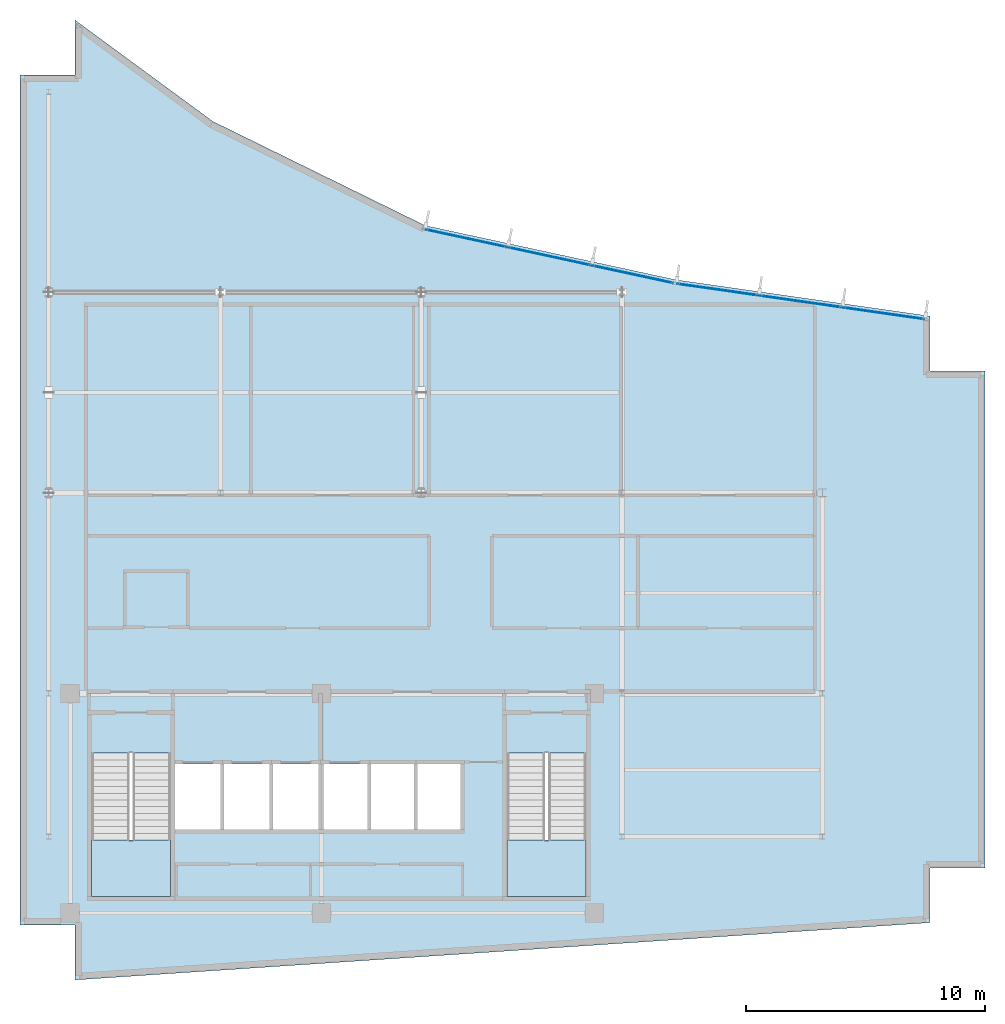
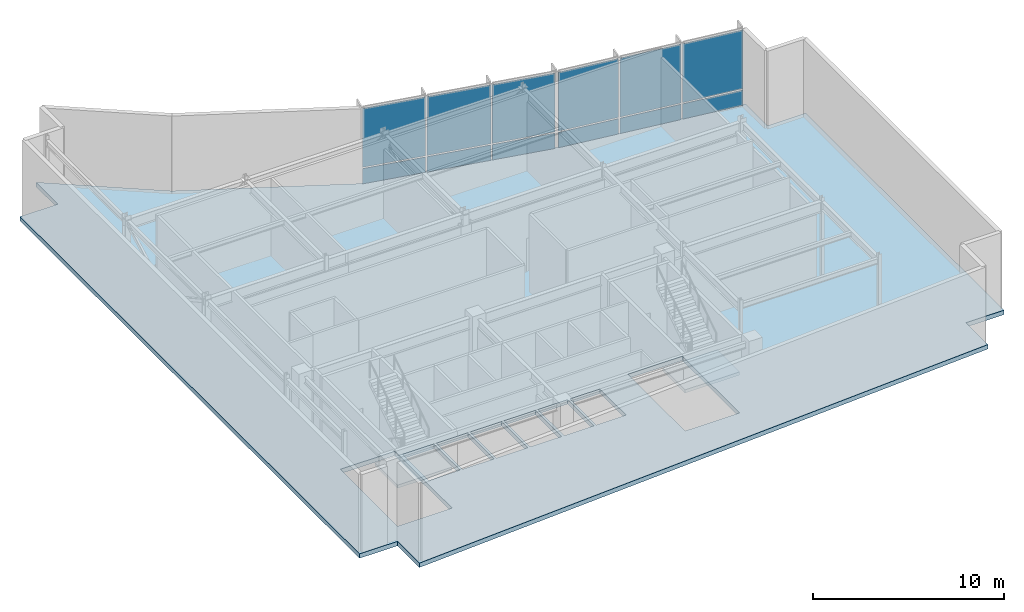
# One storey, part 8 of 14: 12 plates, 3 slabs, 4 elements without a shape of their own.
"""IFC4 building model written with IfcOpenShell, lengths in metres."""

from ifc_helpers import new_model, si_unit, direction, frame, origin, origin_2d, place, context, subcontext, project, spatial, polyline, rectangle, outline, extrude, material, layer, layer_set, type_object, element, aggregate, save


model = new_model("IFC4")

# Units and contexts
model_context = context("Model", 3, precision=1e-05, world=origin(), true_north=direction((0.0, 1.0)))
body_context = subcontext(model_context, "Body", "Model", "MODEL_VIEW")
ifc_project = project(units=[si_unit("LENGTHUNIT", "METRE"), si_unit("AREAUNIT", "SQUARE_METRE"), si_unit("VOLUMEUNIT", "CUBIC_METRE"), si_unit("PLANEANGLEUNIT", "RADIAN"), si_unit("MASSUNIT", "GRAM", prefix="KILO")], contexts=[model_context])

# Site, building, storey
site_placement = place(None, origin())
site = spatial("IfcSite", under=ifc_project, at=site_placement, CompositionType="ELEMENT")
building_placement = place(site_placement, origin())
building = spatial("IfcBuilding", under=site, at=building_placement, Name="Varnakote Quay Hospital", CompositionType="ELEMENT")
storey_placement = place(building_placement, frame((0.0, 0.0, 303.949951171875)))
storey = spatial("IfcBuildingStorey", under=building, at=storey_placement, Name="L75", CompositionType="ELEMENT", Elevation=303.949951171875)

# Curtain wall, plates
ifc_material_1 = material(Name="Anodised aluminium 6063-T6 Bronze", Category="aluminium")
ifc_layer_1 = layer(ifc_material_1, 0.25)
ifc_layer_set_1 = layer_set([ifc_layer_1], Name="Anodised aluminium 6063-T6 Bronze")
curtain_wall_type = type_object("IfcCurtainWallType", Name="CW-SYS-6", PredefinedType="NOTDEFINED", material=ifc_layer_set_1)
curtain_wall_1_placement = place(storey_placement, origin())
curtain_wall_1 = element("IfcCurtainWall", 1, at=curtain_wall_1_placement, inside=storey, type_object=curtain_wall_type, Name="L75 Unitised Bronze Curtain Wall 1", PredefinedType="NOTDEFINED")
ifc_material_2 = material(Name="Insulated bronze spandrel glass", Category="glass")
ifc_layer_2 = layer(ifc_material_2, 0.035888671875)
ifc_layer_set_2 = layer_set([ifc_layer_2], Name="Insulated bronze spandrel glass")
plate_type = type_object("IfcPlateType", Name="CW-PNL-SPN-36", PredefinedType="CURTAIN_PANEL", material=ifc_layer_set_2)
plate_1_placement = place(storey_placement, frame((36.169677734375, 27.91455078125, 0.0849609375), z_axis=(0.0, 0.0, 1.0), x_axis=(-0.989927979062, 0.141571876691, 0.0)))
plate_1 = element("IfcPlate", 2, at=plate_1_placement, type_object=plate_type, Name="-6-L75-1 panel 1.1", PredefinedType="CURTAIN_PANEL", context=body_context, shape_type="SweptSolid", body=[
    extrude(rectangle(XDim=3.406982421875, YDim=0.035888671875, at=origin_2d()), origin(), (0.0, 0.0, 1.0), 0.972412109375),
])
plate_2_placement = place(storey_placement, frame((36.169677734375, 27.91455078125, 1.142578125), z_axis=(0.0, 0.0, 1.0), x_axis=(-0.989927979062, 0.141571876691, 0.0)))
plate_2 = element("IfcPlate", 3, at=plate_2_placement, type_object=plate_type, Name="-6-L75-1 panel 1.2", PredefinedType="CURTAIN_PANEL", context=body_context, shape_type="SweptSolid", body=[
    extrude(rectangle(XDim=3.406982421875, YDim=0.035888671875, at=origin_2d()), origin(), (0.0, 0.0, 1.0), 3.762451171875),
])
plate_3_placement = place(storey_placement, frame((32.69189453125, 28.411865234375, 0.0849609375), z_axis=(0.0, 0.0, 1.0), x_axis=(-0.989927979062, 0.141571876691, 0.0)))
plate_3 = element("IfcPlate", 4, at=plate_3_placement, type_object=plate_type, Name="-6-L75-1 panel 2.1", PredefinedType="CURTAIN_PANEL", context=body_context, shape_type="SweptSolid", body=[
    extrude(rectangle(XDim=3.449462890625, YDim=0.035888671875, at=origin_2d()), origin(), (0.0, 0.0, 1.0), 0.972412109375),
])
plate_4_placement = place(storey_placement, frame((32.69189453125, 28.411865234375, 1.142578125), z_axis=(0.0, 0.0, 1.0), x_axis=(-0.989927979062, 0.141571876691, 0.0)))
plate_4 = element("IfcPlate", 5, at=plate_4_placement, type_object=plate_type, Name="-6-L75-1 panel 2.2", PredefinedType="CURTAIN_PANEL", context=body_context, shape_type="SweptSolid", body=[
    extrude(rectangle(XDim=3.449462890625, YDim=0.035888671875, at=origin_2d()), origin(), (0.0, 0.0, 1.0), 3.762451171875),
])
plate_5_placement = place(storey_placement, frame((29.214111328125, 28.9091796875, 0.0849609375), z_axis=(0.0, 0.0, 1.0), x_axis=(-0.989927979062, 0.141571876691, 0.0)))
plate_5 = element("IfcPlate", 6, at=plate_5_placement, type_object=plate_type, Name="-6-L75-1 panel 3.1", PredefinedType="CURTAIN_PANEL", context=body_context, shape_type="SweptSolid", body=[
    extrude(rectangle(XDim=3.406982421875, YDim=0.035888671875, at=origin_2d()), origin(), (0.0, 0.0, 1.0), 0.972412109375),
])
plate_6_placement = place(storey_placement, frame((29.214111328125, 28.9091796875, 1.142578125), z_axis=(0.0, 0.0, 1.0), x_axis=(-0.989927979062, 0.141571876691, 0.0)))
plate_6 = element("IfcPlate", 7, at=plate_6_placement, type_object=plate_type, Name="-6-L75-1 panel 3.2", PredefinedType="CURTAIN_PANEL", context=body_context, shape_type="SweptSolid", body=[
    extrude(rectangle(XDim=3.406982421875, YDim=0.035888671875, at=origin_2d()), origin(), (0.0, 0.0, 1.0), 3.762451171875),
])
aggregate(curtain_wall_1, [plate_1, plate_2, plate_3, plate_4, plate_5, plate_6])

curtain_wall_2_placement = place(storey_placement, origin())
curtain_wall_2 = element("IfcCurtainWall", 8, at=curtain_wall_2_placement, inside=storey, type_object=curtain_wall_type, Name="L75 Unitised Bronze Curtain Wall 2", PredefinedType="NOTDEFINED")
plate_7_placement = place(storey_placement, frame((25.668212890625, 29.54638671875, 0.0849609375), z_axis=(0.0, 0.0, 1.0), x_axis=(-0.97739794114, 0.211407815974, 0.0)))
plate_7 = element("IfcPlate", 9, at=plate_7_placement, type_object=plate_type, Name="-6-L75-2 panel 1.1", PredefinedType="CURTAIN_PANEL", context=body_context, shape_type="SweptSolid", body=[
    extrude(rectangle(XDim=3.463134765625, YDim=0.035888671875, at=origin_2d()), origin(), (0.0, 0.0, 1.0), 0.972412109375),
])
plate_8_placement = place(storey_placement, frame((25.668212890625, 29.54638671875, 1.142578125), z_axis=(0.0, 0.0, 1.0), x_axis=(-0.97739794114, 0.211407815974, 0.0)))
plate_8 = element("IfcPlate", 10, at=plate_8_placement, type_object=plate_type, Name="-6-L75-2 panel 1.2", PredefinedType="CURTAIN_PANEL", context=body_context, shape_type="SweptSolid", body=[
    extrude(rectangle(XDim=3.463134765625, YDim=0.035888671875, at=origin_2d()), origin(), (0.0, 0.0, 1.0), 3.762451171875),
])
plate_9_placement = place(storey_placement, frame((22.179443359375, 30.301025390625, 0.0849609375), z_axis=(0.0, 0.0, 1.0), x_axis=(-0.97739794114, 0.211407815974, 0.0)))
plate_9 = element("IfcPlate", 11, at=plate_9_placement, type_object=plate_type, Name="-6-L75-2 panel 2.1", PredefinedType="CURTAIN_PANEL", context=body_context, shape_type="SweptSolid", body=[
    extrude(rectangle(XDim=3.505615234375, YDim=0.035888671875, at=origin_2d()), origin(), (0.0, 0.0, 1.0), 0.972412109375),
])
plate_10_placement = place(storey_placement, frame((22.179443359375, 30.301025390625, 1.142578125), z_axis=(0.0, 0.0, 1.0), x_axis=(-0.97739794114, 0.211407815974, 0.0)))
plate_10 = element("IfcPlate", 12, at=plate_10_placement, type_object=plate_type, Name="-6-L75-2 panel 2.2", PredefinedType="CURTAIN_PANEL", context=body_context, shape_type="SweptSolid", body=[
    extrude(rectangle(XDim=3.505615234375, YDim=0.035888671875, at=origin_2d()), origin(), (0.0, 0.0, 1.0), 3.762451171875),
])
plate_11_placement = place(storey_placement, frame((18.690673828125, 31.0556640625, 0.0849609375), z_axis=(0.0, 0.0, 1.0), x_axis=(-0.97739794114, 0.211407815974, 0.0)))
plate_11 = element("IfcPlate", 13, at=plate_11_placement, type_object=plate_type, Name="-6-L75-2 panel 3.1", PredefinedType="CURTAIN_PANEL", context=body_context, shape_type="SweptSolid", body=[
    extrude(rectangle(XDim=3.463134765625, YDim=0.035888671875, at=origin_2d()), origin(), (0.0, 0.0, 1.0), 0.972412109375),
])
plate_12_placement = place(storey_placement, frame((18.690673828125, 31.0556640625, 1.142578125), z_axis=(0.0, 0.0, 1.0), x_axis=(-0.97739794114, 0.211407815974, 0.0)))
plate_12 = element("IfcPlate", 14, at=plate_12_placement, type_object=plate_type, Name="-6-L75-2 panel 3.2", PredefinedType="CURTAIN_PANEL", context=body_context, shape_type="SweptSolid", body=[
    extrude(rectangle(XDim=3.463134765625, YDim=0.035888671875, at=origin_2d()), origin(), (0.0, 0.0, 1.0), 3.762451171875),
])
aggregate(curtain_wall_2, [plate_7, plate_8, plate_9, plate_10, plate_11, plate_12])

# Slab
ifc_material_3 = material(Name="Concrete N50 (f'c 50 MPa)", Category="concrete")
ifc_layer_3 = layer(ifc_material_3, 0.280029296875)
ifc_layer_set_3 = layer_set([ifc_layer_3], Name="Concrete N50 (f'c 50 MPa)")
slab_type_1 = type_object("IfcSlabType", Name="SLB-PLANT-280", PredefinedType="FLOOR", material=ifc_layer_set_3)
slab_1_placement = place(storey_placement, frame((0.0, 0.0, -0.280029296875)))
element("IfcSlab", 15, at=slab_1_placement, inside=storey, type_object=slab_type_1, Name="L75 Primary Floor Slab", PredefinedType="FLOOR", context=body_context, shape_type="SweptSolid", body=[
    extrude(outline(polyline([(0.0, 2.300048828125), (2.300048828125, 2.300048828125), (2.300048828125, 0.0), (38.10009765625, 2.39990234375), (38.10009765625, 4.699951171875), (40.39990234375, 4.699951171875), (40.39990234375, 25.5), (38.10009765625, 25.5), (38.10009765625, 27.800048828125), (27.471923828125, 29.320068359375), (16.968017578125, 31.592041015625), (8.080078125, 35.951904296875), (2.300048828125, 40.199951171875), (2.300048828125, 37.89990234375), (0.0, 37.89990234375), (0.0, 2.300048828125)]), holes=[polyline([(3.0, 3.5), (6.300048828125, 3.5), (6.300048828125, 9.49951171875), (3.0, 9.49951171875), (3.0, 3.5)]), polyline([(20.39990234375, 3.5), (23.699951171875, 3.5), (23.699951171875, 9.49951171875), (20.39990234375, 9.49951171875), (20.39990234375, 3.5)]), polyline([(6.5, 6.300048828125), (8.39990234375, 6.300048828125), (8.39990234375, 9.050048828125), (6.5, 9.050048828125), (6.5, 6.300048828125)]), polyline([(8.550048828125, 6.300048828125), (10.449951171875, 6.300048828125), (10.449951171875, 9.050048828125), (8.550048828125, 9.050048828125), (8.550048828125, 6.300048828125)]), polyline([(10.60009765625, 6.300048828125), (12.5, 6.300048828125), (12.5, 9.050048828125), (10.60009765625, 9.050048828125), (10.60009765625, 6.300048828125)]), polyline([(12.64990234375, 6.300048828125), (14.550048828125, 6.300048828125), (14.550048828125, 9.050048828125), (12.64990234375, 9.050048828125), (12.64990234375, 6.300048828125)]), polyline([(14.699951171875, 6.300048828125), (16.5, 6.300048828125), (16.5, 9.050048828125), (14.699951171875, 9.050048828125), (14.699951171875, 6.300048828125)]), polyline([(16.64990234375, 6.300048828125), (18.449951171875, 6.300048828125), (18.449951171875, 9.050048828125), (16.64990234375, 9.050048828125), (16.64990234375, 6.300048828125)])]), origin(), (0.0, 0.0, 1.0), 0.280029296875),
])

# Stair, slab
ifc_material_4 = material(Name="Concrete N40 (f'c 40 MPa)", Category="concrete")
stair_type = type_object("IfcStairType", Name="STR-CORE-1580", PredefinedType="HALF_TURN_STAIR", material=ifc_material_4)
stair_1_placement = place(storey_placement, origin())
stair_1 = element("IfcStair", 16, at=stair_1_placement, inside=storey, type_object=stair_type, Name="L75 Fire-Isolated Exit Stair ST-01", PredefinedType="HALF_TURN_STAIR")
ifc_material_5 = material(Name="Concrete N40 (f'c 40 MPa)", Category="concrete")
ifc_layer_4 = layer(ifc_material_5, 0.199951171875)
ifc_layer_set_4 = layer_set([ifc_layer_4], Name="Concrete N40 (f'c 40 MPa)")
slab_type_2 = type_object("IfcSlabType", Name="SLB-STAIR-LND-200", PredefinedType="LANDING", material=ifc_layer_set_4)
slab_2_placement = place(storey_placement, frame((0.0, 0.0, 2.425048828125)))
slab_2 = element("IfcSlab", 17, at=slab_2_placement, type_object=slab_type_2, Name="ST-01 landing 1", PredefinedType="LANDING", context=body_context, shape_type="SweptSolid", body=[
    extrude(outline(polyline([(3.0, 5.860107421875), (3.0, 3.5), (6.300048828125, 3.5), (6.300048828125, 5.860107421875), (3.0, 5.860107421875)])), origin(), (0.0, 0.0, 1.0), 0.199951171875),
])
aggregate(stair_1, [slab_2])

stair_2_placement = place(storey_placement, origin())
stair_2 = element("IfcStair", 18, at=stair_2_placement, inside=storey, type_object=stair_type, Name="L75 Fire-Isolated Exit Stair ST-02", PredefinedType="HALF_TURN_STAIR")
slab_3_placement = place(storey_placement, frame((0.0, 0.0, 2.425048828125)))
slab_3 = element("IfcSlab", 19, at=slab_3_placement, type_object=slab_type_2, Name="ST-02 landing 1", PredefinedType="LANDING", context=body_context, shape_type="SweptSolid", body=[
    extrude(outline(polyline([(20.39990234375, 5.860107421875), (20.39990234375, 3.5), (23.699951171875, 3.5), (23.699951171875, 5.860107421875), (20.39990234375, 5.860107421875)])), origin(), (0.0, 0.0, 1.0), 0.199951171875),
])
aggregate(stair_2, [slab_3])

save(model, "model.ifc")
